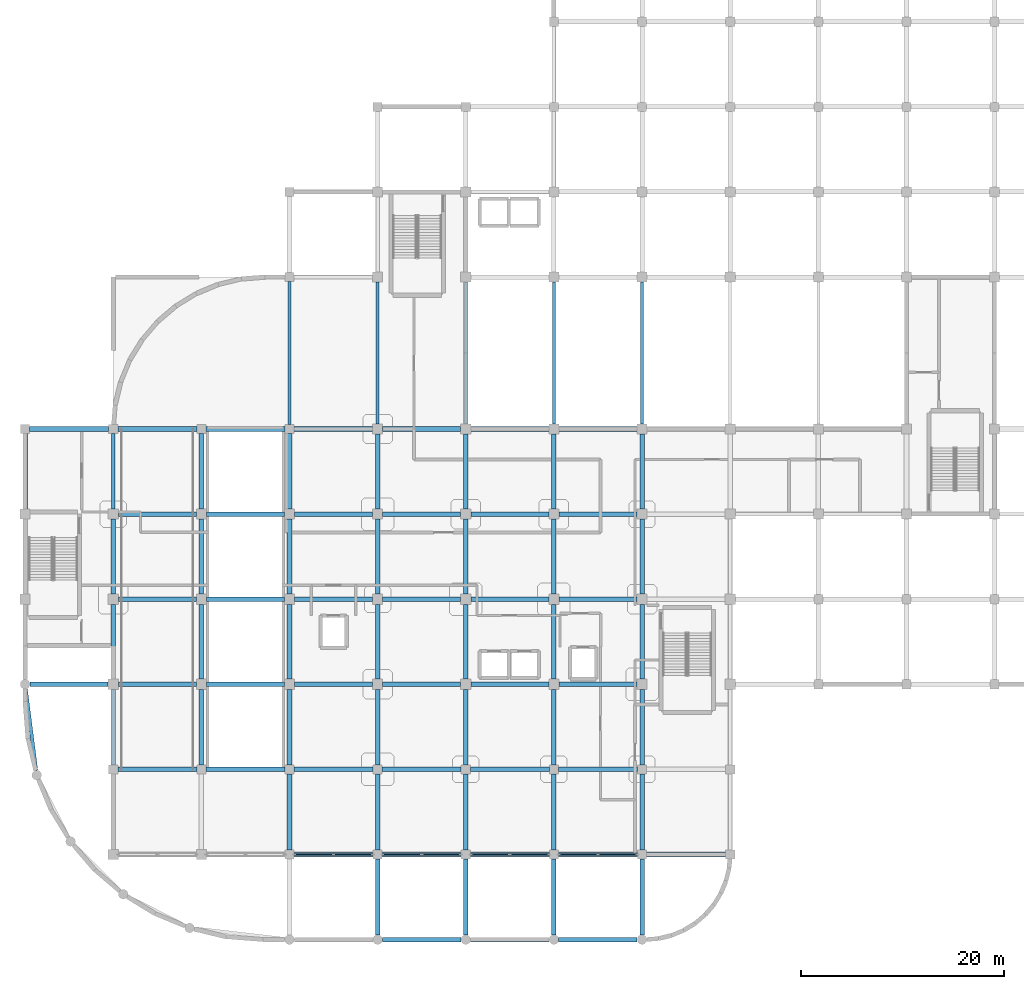
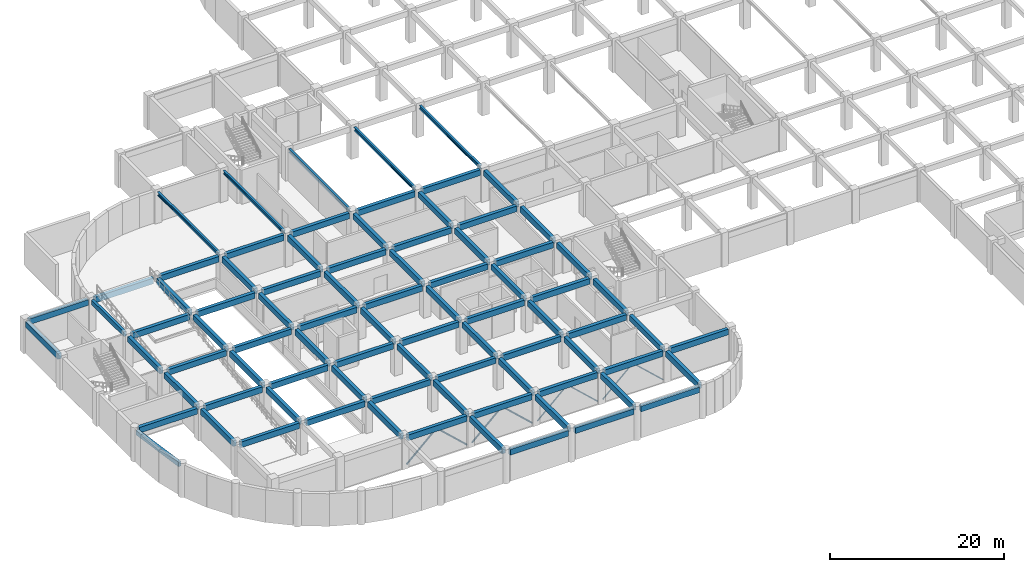
# One storey, part 2 of 19: 84 beams, 8 members.
"""IFC4 building model written with IfcOpenShell, lengths in metres."""

from ifc_helpers import new_model, si_unit, derived_unit, direction, frame, origin, origin_2d, place, context, subcontext, project, spatial, rectangle, hollow_circle, i_section, extrude, material, material_profile, profile_set, type_object, element, save


model = new_model("IFC4")

# Units and contexts
model_context = context("Model", 3, precision=1e-05, world=origin(), true_north=direction((0.0, 1.0)))
body_context = subcontext(model_context, "Body", "Model", "MODEL_VIEW")
ifc_project = project(units=[si_unit("LENGTHUNIT", "METRE"), si_unit("AREAUNIT", "SQUARE_METRE"), si_unit("VOLUMEUNIT", "CUBIC_METRE"), si_unit("PLANEANGLEUNIT", "RADIAN"), si_unit("MASSUNIT", "GRAM", prefix="KILO"), derived_unit("THERMALTRANSMITTANCEUNIT", [(si_unit("MASSUNIT", "GRAM", prefix="KILO"), 1), (si_unit("TIMEUNIT", "SECOND"), -3), (si_unit("THERMODYNAMICTEMPERATUREUNIT", "KELVIN"), -1)])], contexts=[model_context])

# Site, building, storey
site_placement = place(None, origin())
site = spatial("IfcSite", under=ifc_project, at=site_placement, CompositionType="ELEMENT")
building_placement = place(site_placement, origin())
building = spatial("IfcBuilding", under=site, at=building_placement, Name="Qinzheling Arcade Emporium", CompositionType="ELEMENT")
storey_placement = place(building_placement, frame((0.0, 0.0, -4.800048828125)))
storey = spatial("IfcBuildingStorey", under=building, at=storey_placement, Name="B1", CompositionType="ELEMENT", Elevation=-4.800048828125)

# Beams
ifc_material_1 = material(Name="Structural steel Q355B", Category="steel")
ifc_material_profile_1 = material_profile(ifc_material_1, i_section(OverallWidth=0.300048828125, OverallDepth=0.488037109375, WebThickness=0.010986328125, FlangeThickness=0.01806640625, FilletRadius=0.02197265625, at=origin_2d()), Name="HM 488x300x11x18", Category="steel")
ifc_profile_set_1 = profile_set([ifc_material_profile_1], Name="Structural steel Q355B")
beam_type_1 = type_object("IfcBeamType", Name="Atrium Bridge Girder HM488 Q355B", PredefinedType="USERDEFINED", material=ifc_profile_set_1)
beam_1_placement = place(storey_placement, frame((26.10009765625, 50.85009765625, 4.216064453125), z_axis=(0.0, 1.0, 0.0), x_axis=(-1.0, 0.0, 0.0)))
element("IfcBeam", 1, at=beam_1_placement, inside=storey, type_object=beam_type_1, Name="Beam BM-B1-Y-4-G", ObjectType="TRANSFER_GIRDER", PredefinedType="USERDEFINED", context=body_context, shape_type="SweptSolid", body=[
    extrude(i_section(OverallWidth=0.300048828125, OverallDepth=0.488037109375, WebThickness=0.010986328125, FlangeThickness=0.01806640625, FilletRadius=0.02197265625, at=origin_2d()), origin(), (0.0, 0.0, 1.0), 14.099853515625),
])
for number, where, z_axis, x_axis, name in (
    (2, (34.800048828125, 50.89990234375, 4.216064453125), (0.0, 1.0, 0.0), (-1.0, 0.0, 0.0), "Beam BM-B1-Y-5-G"),
    (3, (43.5, 50.89990234375, 4.216064453125), (0.0, 1.0, 0.0), (-1.0, 0.0, 0.0), "Beam BM-B1-Y-6-G"),
    (4, (52.199951171875, 50.89990234375, 4.216064453125), (0.0, 1.0, 0.0), (-1.0, 0.0, 0.0), "Beam BM-B1-Y-7-G"),
    (5, (60.89990234375, 50.89990234375, 4.216064453125), (0.0, 1.0, 0.0), (-1.0, 0.0, 0.0), "Beam BM-B1-Y-8-G"),
):
    element("IfcBeam", number, at=place(storey_placement, frame(where, z_axis=z_axis, x_axis=x_axis)), inside=storey, type_object=beam_type_1, Name=name, ObjectType="TRANSFER_GIRDER", PredefinedType="USERDEFINED", context=body_context, shape_type="SweptSolid", body=[
        extrude(i_section(OverallWidth=0.300048828125, OverallDepth=0.488037109375, WebThickness=0.010986328125, FlangeThickness=0.01806640625, FilletRadius=0.02197265625, at=origin_2d()), origin(), (0.0, 0.0, 1.0), 14.0),
    ])

# Members
ifc_material_2 = material(Name="Weathering steel Q355NH", Category="steel")
ifc_material_profile_2 = material_profile(ifc_material_2, hollow_circle(Radius=0.109619140625, WallThickness=0.010009765625, at=origin_2d()), Name="CHS 219x10", Category="steel")
ifc_profile_set_2 = profile_set([ifc_material_profile_2], Name="Weathering steel Q355NH")
member_type_1 = type_object("IfcMemberType", Name="Lateral Frame Wind Brace CHS219 Q355NH", PredefinedType="BRACE", material=ifc_profile_set_2)
for number, where, z_axis, x_axis, name in (
    (6, (26.449951171875, 8.39990234375, 0.25), (0.734103906603, 0.0, 0.679037152378), (0.0, 1.0, 0.0), "Chevron Frame Brace FRM-BRC-B1-03-1"),
    (7, (34.449951171875, 8.39990234375, 0.25), (-0.734103906603, 0.0, 0.679037152378), (0.0, -1.0, 0.0), "Chevron Frame Brace FRM-BRC-B1-03-2"),
    (8, (35.14990234375, 8.39990234375, 0.25), (0.734103906603, 0.0, 0.679037152378), (0.0, 1.0, 0.0), "Chevron Frame Brace FRM-BRC-B1-04-1"),
    (9, (43.14990234375, 8.39990234375, 0.25), (-0.734103906603, 0.0, 0.679037152378), (0.0, -1.0, 0.0), "Chevron Frame Brace FRM-BRC-B1-04-2"),
):
    element("IfcMember", number, at=place(storey_placement, frame(where, z_axis=z_axis, x_axis=x_axis)), inside=storey, type_object=member_type_1, Name=name, PredefinedType="BRACE", context=body_context, shape_type="SweptSolid", body=[
        extrude(hollow_circle(Radius=0.109619140625, WallThickness=0.010009765625, at=origin_2d()), origin(), (0.0, 0.0, 1.0), 5.44873046875),
    ])
ifc_material_profile_3 = material_profile(ifc_material_1, hollow_circle(Radius=0.083984375, WallThickness=0.008056640625, at=origin_2d()), Name="CHS 168x8", Category="steel")
ifc_profile_set_3 = profile_set([ifc_material_profile_3], Name="Structural steel Q355B")
member_type_2 = type_object("IfcMemberType", Name="Logistics Frame Cross Brace CHS168 Q355B", PredefinedType="BRACE", material=ifc_profile_set_3)
for number, where, z_axis, x_axis, name in (
    (10, (43.85009765625, 8.39990234375, 0.25), (0.734103906603, 0.0, 0.679037152378), (0.0, 1.0, 0.0), "Chevron Frame Brace FRM-BRC-B1-06-1"),
    (11, (51.85009765625, 8.39990234375, 0.25), (-0.734103906603, 0.0, 0.679037152378), (0.0, -1.0, 0.0), "Chevron Frame Brace FRM-BRC-B1-06-2"),
    (12, (52.550048828125, 8.39990234375, 0.25), (0.734103906603, 0.0, 0.679037152378), (0.0, 1.0, 0.0), "Chevron Frame Brace FRM-BRC-B1-08-1"),
    (13, (60.550048828125, 8.39990234375, 0.25), (-0.734103906603, 0.0, 0.679037152378), (0.0, -1.0, 0.0), "Chevron Frame Brace FRM-BRC-B1-08-2"),
):
    element("IfcMember", number, at=place(storey_placement, frame(where, z_axis=z_axis, x_axis=x_axis)), inside=storey, type_object=member_type_2, Name=name, PredefinedType="BRACE", context=body_context, shape_type="SweptSolid", body=[
        extrude(hollow_circle(Radius=0.083984375, WallThickness=0.008056640625, at=origin_2d()), origin(), (0.0, 0.0, 1.0), 5.44873046875),
    ])

# Beams
ifc_material_3 = material(Name="Concrete C40", Category="concrete")
ifc_material_profile_4 = material_profile(ifc_material_3, rectangle(XDim=0.449951171875, YDim=0.800048828125, at=origin_2d()), Name="RC 450x800", Category="concrete")
ifc_profile_set_4 = profile_set([ifc_material_profile_4], Name="Concrete C40")
beam_type_2 = type_object("IfcBeamType", Name="RC Primary Frame Beam 450x800 C40", PredefinedType="BEAM", material=ifc_profile_set_4)
for number, where, z_axis, x_axis, name in (
    (14, (35.27490234375, 0.0, 4.06005859375), (1.0, 0.0, 0.0), (0.0, 1.0, 0.0), "Beam BM-B1-X-A-5"),
    (15, (43.97509765625, 0.0, 4.06005859375), (1.0, 0.0, 0.0), (0.0, 1.0, 0.0), "Beam BM-B1-X-A-6"),
    (16, (52.675048828125, 0.0, 4.06005859375), (1.0, 0.0, 0.0), (0.0, 1.0, 0.0), "Beam BM-B1-X-A-7"),
):
    element("IfcBeam", number, at=place(storey_placement, frame(where, z_axis=z_axis, x_axis=x_axis)), inside=storey, type_object=beam_type_2, Name=name, PredefinedType="BEAM", context=body_context, shape_type="SweptSolid", body=[
        extrude(rectangle(XDim=0.449951171875, YDim=0.800048828125, at=origin_2d()), origin(), (0.0, 0.0, 1.0), 7.75),
    ])
for number, where, z_axis, x_axis, name in (
    (17, (26.550048828125, 8.39990234375, 4.06005859375), (1.0, 0.0, 0.0), (0.0, 1.0, 0.0), "Beam BM-B1-X-B-4"),
    (18, (35.25, 8.39990234375, 4.06005859375), (1.0, 0.0, 0.0), (0.0, 1.0, 0.0), "Beam BM-B1-X-B-5"),
    (19, (43.949951171875, 8.39990234375, 4.06005859375), (1.0, 0.0, 0.0), (0.0, 1.0, 0.0), "Beam BM-B1-X-B-6"),
    (20, (52.64990234375, 8.39990234375, 4.06005859375), (1.0, 0.0, 0.0), (0.0, 1.0, 0.0), "Beam BM-B1-X-B-7"),
):
    element("IfcBeam", number, at=place(storey_placement, frame(where, z_axis=z_axis, x_axis=x_axis)), inside=storey, type_object=beam_type_2, Name=name, PredefinedType="BEAM", context=body_context, shape_type="SweptSolid", body=[
        extrude(rectangle(XDim=0.449951171875, YDim=0.800048828125, at=origin_2d()), origin(), (0.0, 0.0, 1.0), 7.800048828125),
    ])
beam_2_placement = place(storey_placement, frame((61.35009765625, 8.39990234375, 4.06005859375), z_axis=(1.0, 0.0, 0.0), x_axis=(0.0, 1.0, 0.0)))
element("IfcBeam", 21, at=beam_2_placement, inside=storey, type_object=beam_type_2, Name="Beam BM-B1-X-B-8", PredefinedType="BEAM", context=body_context, shape_type="SweptSolid", body=[
    extrude(rectangle(XDim=0.449951171875, YDim=0.800048828125, at=origin_2d()), origin(), (0.0, 0.0, 1.0), 7.7998046875),
])
beam_3_placement = place(storey_placement, frame((9.14990234375, 16.800048828125, 4.06005859375), z_axis=(1.0, 0.0, 0.0), x_axis=(0.0, 1.0, 0.0)))
element("IfcBeam", 22, at=beam_3_placement, inside=storey, type_object=beam_type_2, Name="Beam BM-B1-X-C-2", PredefinedType="BEAM", context=body_context, shape_type="SweptSolid", body=[
    extrude(rectangle(XDim=0.449951171875, YDim=0.800048828125, at=origin_2d()), origin(), (0.0, 0.0, 1.0), 7.800048828125),
])
beam_4_placement = place(storey_placement, frame((17.85009765625, 16.800048828125, 4.06005859375), z_axis=(1.0, 0.0, 0.0), x_axis=(0.0, 1.0, 0.0)))
element("IfcBeam", 23, at=beam_4_placement, inside=storey, type_object=beam_type_2, Name="Beam BM-B1-X-C-3", PredefinedType="BEAM", context=body_context, shape_type="SweptSolid", body=[
    extrude(rectangle(XDim=0.449951171875, YDim=0.800048828125, at=origin_2d()), origin(), (0.0, 0.0, 1.0), 7.7998046875),
])
for number, where, z_axis, x_axis, name in (
    (24, (26.550048828125, 16.800048828125, 4.06005859375), (1.0, 0.0, 0.0), (0.0, 1.0, 0.0), "Beam BM-B1-X-C-4"),
    (25, (35.25, 16.800048828125, 4.06005859375), (1.0, 0.0, 0.0), (0.0, 1.0, 0.0), "Beam BM-B1-X-C-5"),
    (26, (43.949951171875, 16.800048828125, 4.06005859375), (1.0, 0.0, 0.0), (0.0, 1.0, 0.0), "Beam BM-B1-X-C-6"),
    (27, (52.64990234375, 16.800048828125, 4.06005859375), (1.0, 0.0, 0.0), (0.0, 1.0, 0.0), "Beam BM-B1-X-C-7"),
):
    element("IfcBeam", number, at=place(storey_placement, frame(where, z_axis=z_axis, x_axis=x_axis)), inside=storey, type_object=beam_type_2, Name=name, PredefinedType="BEAM", context=body_context, shape_type="SweptSolid", body=[
        extrude(rectangle(XDim=0.449951171875, YDim=0.800048828125, at=origin_2d()), origin(), (0.0, 0.0, 1.0), 7.800048828125),
    ])
beam_5_placement = place(storey_placement, frame((0.47509765625, 25.199951171875, 4.06005859375), z_axis=(1.0, 0.0, 0.0), x_axis=(0.0, 1.0, 0.0)))
element("IfcBeam", 28, at=beam_5_placement, inside=storey, type_object=beam_type_2, Name="Beam BM-B1-X-D-1", PredefinedType="BEAM", context=body_context, shape_type="SweptSolid", body=[
    extrude(rectangle(XDim=0.449951171875, YDim=0.800048828125, at=origin_2d()), origin(), (0.0, 0.0, 1.0), 7.724853515625),
])
beam_6_placement = place(storey_placement, frame((9.199951171875, 25.199951171875, 4.06005859375), z_axis=(1.0, 0.0, 0.0), x_axis=(0.0, 1.0, 0.0)))
element("IfcBeam", 29, at=beam_6_placement, inside=storey, type_object=beam_type_2, Name="Beam BM-B1-X-D-2", PredefinedType="BEAM", context=body_context, shape_type="SweptSolid", body=[
    extrude(rectangle(XDim=0.449951171875, YDim=0.800048828125, at=origin_2d()), origin(), (0.0, 0.0, 1.0), 7.699951171875),
])
beam_7_placement = place(storey_placement, frame((17.89990234375, 25.199951171875, 4.06005859375), z_axis=(1.0, 0.0, 0.0), x_axis=(0.0, 1.0, 0.0)))
element("IfcBeam", 30, at=beam_7_placement, inside=storey, type_object=beam_type_2, Name="Beam BM-B1-X-D-3", PredefinedType="BEAM", context=body_context, shape_type="SweptSolid", body=[
    extrude(rectangle(XDim=0.449951171875, YDim=0.800048828125, at=origin_2d()), origin(), (0.0, 0.0, 1.0), 7.7001953125),
])
for number, where, z_axis, x_axis, name in (
    (31, (26.60009765625, 25.199951171875, 4.06005859375), (1.0, 0.0, 0.0), (0.0, 1.0, 0.0), "Beam BM-B1-X-D-4"),
    (32, (35.300048828125, 25.199951171875, 4.06005859375), (1.0, 0.0, 0.0), (0.0, 1.0, 0.0), "Beam BM-B1-X-D-5"),
    (33, (44.0, 25.199951171875, 4.06005859375), (1.0, 0.0, 0.0), (0.0, 1.0, 0.0), "Beam BM-B1-X-D-6"),
    (34, (52.699951171875, 25.199951171875, 4.06005859375), (1.0, 0.0, 0.0), (0.0, 1.0, 0.0), "Beam BM-B1-X-D-7"),
    (35, (9.199951171875, 33.60009765625, 4.06005859375), (1.0, 0.0, 0.0), (0.0, 1.0, 0.0), "Beam BM-B1-X-E-2"),
):
    element("IfcBeam", number, at=place(storey_placement, frame(where, z_axis=z_axis, x_axis=x_axis)), inside=storey, type_object=beam_type_2, Name=name, PredefinedType="BEAM", context=body_context, shape_type="SweptSolid", body=[
        extrude(rectangle(XDim=0.449951171875, YDim=0.800048828125, at=origin_2d()), origin(), (0.0, 0.0, 1.0), 7.699951171875),
    ])
beam_8_placement = place(storey_placement, frame((17.89990234375, 33.60009765625, 4.06005859375), z_axis=(1.0, 0.0, 0.0), x_axis=(0.0, 1.0, 0.0)))
element("IfcBeam", 36, at=beam_8_placement, inside=storey, type_object=beam_type_2, Name="Beam BM-B1-X-E-3", PredefinedType="BEAM", context=body_context, shape_type="SweptSolid", body=[
    extrude(rectangle(XDim=0.449951171875, YDim=0.800048828125, at=origin_2d()), origin(), (0.0, 0.0, 1.0), 7.7001953125),
])
for number, where, z_axis, x_axis, name in (
    (37, (26.60009765625, 33.60009765625, 4.06005859375), (1.0, 0.0, 0.0), (0.0, 1.0, 0.0), "Beam BM-B1-X-E-4"),
    (38, (35.300048828125, 33.60009765625, 4.06005859375), (1.0, 0.0, 0.0), (0.0, 1.0, 0.0), "Beam BM-B1-X-E-5"),
    (39, (44.0, 33.60009765625, 4.06005859375), (1.0, 0.0, 0.0), (0.0, 1.0, 0.0), "Beam BM-B1-X-E-6"),
    (40, (52.699951171875, 33.60009765625, 4.06005859375), (1.0, 0.0, 0.0), (0.0, 1.0, 0.0), "Beam BM-B1-X-E-7"),
    (41, (9.199951171875, 42.0, 4.06005859375), (1.0, 0.0, 0.0), (0.0, 1.0, 0.0), "Beam BM-B1-X-F-2"),
):
    element("IfcBeam", number, at=place(storey_placement, frame(where, z_axis=z_axis, x_axis=x_axis)), inside=storey, type_object=beam_type_2, Name=name, PredefinedType="BEAM", context=body_context, shape_type="SweptSolid", body=[
        extrude(rectangle(XDim=0.449951171875, YDim=0.800048828125, at=origin_2d()), origin(), (0.0, 0.0, 1.0), 7.699951171875),
    ])
beam_9_placement = place(storey_placement, frame((17.89990234375, 42.0, 4.06005859375), z_axis=(1.0, 0.0, 0.0), x_axis=(0.0, 1.0, 0.0)))
element("IfcBeam", 42, at=beam_9_placement, inside=storey, type_object=beam_type_2, Name="Beam BM-B1-X-F-3", PredefinedType="BEAM", context=body_context, shape_type="SweptSolid", body=[
    extrude(rectangle(XDim=0.449951171875, YDim=0.800048828125, at=origin_2d()), origin(), (0.0, 0.0, 1.0), 7.7001953125),
])
for number, where, z_axis, x_axis, name in (
    (43, (26.60009765625, 42.0, 4.06005859375), (1.0, 0.0, 0.0), (0.0, 1.0, 0.0), "Beam BM-B1-X-F-4"),
    (44, (35.300048828125, 42.0, 4.06005859375), (1.0, 0.0, 0.0), (0.0, 1.0, 0.0), "Beam BM-B1-X-F-5"),
    (45, (44.0, 42.0, 4.06005859375), (1.0, 0.0, 0.0), (0.0, 1.0, 0.0), "Beam BM-B1-X-F-6"),
    (46, (52.699951171875, 42.0, 4.06005859375), (1.0, 0.0, 0.0), (0.0, 1.0, 0.0), "Beam BM-B1-X-F-7"),
):
    element("IfcBeam", number, at=place(storey_placement, frame(where, z_axis=z_axis, x_axis=x_axis)), inside=storey, type_object=beam_type_2, Name=name, PredefinedType="BEAM", context=body_context, shape_type="SweptSolid", body=[
        extrude(rectangle(XDim=0.449951171875, YDim=0.800048828125, at=origin_2d()), origin(), (0.0, 0.0, 1.0), 7.699951171875),
    ])
for number, where, z_axis, x_axis, name in (
    (47, (0.449951171875, 50.39990234375, 4.06005859375), (1.0, 0.0, 0.0), (0.0, 1.0, 0.0), "Beam BM-B1-X-G-1"),
    (48, (9.14990234375, 50.39990234375, 4.06005859375), (1.0, 0.0, 0.0), (0.0, 1.0, 0.0), "Beam BM-B1-X-G-2"),
):
    element("IfcBeam", number, at=place(storey_placement, frame(where, z_axis=z_axis, x_axis=x_axis)), inside=storey, type_object=beam_type_2, Name=name, PredefinedType="BEAM", context=body_context, shape_type="SweptSolid", body=[
        extrude(rectangle(XDim=0.449951171875, YDim=0.800048828125, at=origin_2d()), origin(), (0.0, 0.0, 1.0), 7.800048828125),
    ])
beam_10_placement = place(storey_placement, frame((17.85009765625, 50.39990234375, 4.06005859375), z_axis=(1.0, 0.0, 0.0), x_axis=(0.0, 1.0, 0.0)))
element("IfcBeam", 49, at=beam_10_placement, inside=storey, type_object=beam_type_2, Name="Beam BM-B1-X-G-3", PredefinedType="BEAM", context=body_context, shape_type="SweptSolid", body=[
    extrude(rectangle(XDim=0.449951171875, YDim=0.800048828125, at=origin_2d()), origin(), (0.0, 0.0, 1.0), 7.7998046875),
])
beam_11_placement = place(storey_placement, frame((26.550048828125, 50.39990234375, 4.06005859375), z_axis=(1.0, 0.0, 0.0), x_axis=(0.0, 1.0, 0.0)))
element("IfcBeam", 50, at=beam_11_placement, inside=storey, type_object=beam_type_2, Name="Beam BM-B1-X-G-4", PredefinedType="BEAM", context=body_context, shape_type="SweptSolid", body=[
    extrude(rectangle(XDim=0.449951171875, YDim=0.800048828125, at=origin_2d()), origin(), (0.0, 0.0, 1.0), 7.75),
])
for number, where, z_axis, x_axis, name in (
    (51, (35.300048828125, 50.39990234375, 4.06005859375), (1.0, 0.0, 0.0), (0.0, 1.0, 0.0), "Beam BM-B1-X-G-5"),
    (52, (44.0, 50.39990234375, 4.06005859375), (1.0, 0.0, 0.0), (0.0, 1.0, 0.0), "Beam BM-B1-X-G-6"),
    (53, (52.699951171875, 50.39990234375, 4.06005859375), (1.0, 0.0, 0.0), (0.0, 1.0, 0.0), "Beam BM-B1-X-G-7"),
):
    element("IfcBeam", number, at=place(storey_placement, frame(where, z_axis=z_axis, x_axis=x_axis)), inside=storey, type_object=beam_type_2, Name=name, PredefinedType="BEAM", context=body_context, shape_type="SweptSolid", body=[
        extrude(rectangle(XDim=0.449951171875, YDim=0.800048828125, at=origin_2d()), origin(), (0.0, 0.0, 1.0), 7.699951171875),
    ])
for number, where, z_axis, x_axis, name in (
    (54, (0.0, 42.5, 4.06005859375), (0.0, 1.0, 0.0), (-1.0, 0.0, 0.0), "Beam BM-B1-Y-1-F"),
    (55, (8.699951171875, 17.25, 4.06005859375), (0.0, 1.0, 0.0), (-1.0, 0.0, 0.0), "Beam BM-B1-Y-2-C"),
):
    element("IfcBeam", number, at=place(storey_placement, frame(where, z_axis=z_axis, x_axis=x_axis)), inside=storey, type_object=beam_type_2, Name=name, PredefinedType="BEAM", context=body_context, shape_type="SweptSolid", body=[
        extrude(rectangle(XDim=0.449951171875, YDim=0.800048828125, at=origin_2d()), origin(), (0.0, 0.0, 1.0), 7.449951171875),
    ])
beam_12_placement = place(storey_placement, frame((8.699951171875, 25.699951171875, 4.06005859375), z_axis=(0.0, 1.0, 0.0), x_axis=(-1.0, 0.0, 0.0)))
element("IfcBeam", 56, at=beam_12_placement, inside=storey, type_object=beam_type_2, Name="Beam BM-B1-Y-2-D", PredefinedType="BEAM", context=body_context, shape_type="SweptSolid", body=[
    extrude(rectangle(XDim=0.449951171875, YDim=0.800048828125, at=origin_2d()), origin(), (0.0, 0.0, 1.0), 7.400146484375),
])
beam_13_placement = place(storey_placement, frame((8.699951171875, 34.10009765625, 4.06005859375), z_axis=(0.0, 1.0, 0.0), x_axis=(-1.0, 0.0, 0.0)))
element("IfcBeam", 57, at=beam_13_placement, inside=storey, type_object=beam_type_2, Name="Beam BM-B1-Y-2-E", PredefinedType="BEAM", context=body_context, shape_type="SweptSolid", body=[
    extrude(rectangle(XDim=0.449951171875, YDim=0.800048828125, at=origin_2d()), origin(), (0.0, 0.0, 1.0), 7.39990234375),
])
beam_14_placement = place(storey_placement, frame((17.39990234375, 17.25, 4.06005859375), z_axis=(0.0, 1.0, 0.0), x_axis=(-1.0, 0.0, 0.0)))
element("IfcBeam", 58, at=beam_14_placement, inside=storey, type_object=beam_type_2, Name="Beam BM-B1-Y-3-C", PredefinedType="BEAM", context=body_context, shape_type="SweptSolid", body=[
    extrude(rectangle(XDim=0.449951171875, YDim=0.800048828125, at=origin_2d()), origin(), (0.0, 0.0, 1.0), 7.449951171875),
])
beam_15_placement = place(storey_placement, frame((17.39990234375, 25.699951171875, 4.06005859375), z_axis=(0.0, 1.0, 0.0), x_axis=(-1.0, 0.0, 0.0)))
element("IfcBeam", 59, at=beam_15_placement, inside=storey, type_object=beam_type_2, Name="Beam BM-B1-Y-3-D", PredefinedType="BEAM", context=body_context, shape_type="SweptSolid", body=[
    extrude(rectangle(XDim=0.449951171875, YDim=0.800048828125, at=origin_2d()), origin(), (0.0, 0.0, 1.0), 7.400146484375),
])
beam_16_placement = place(storey_placement, frame((17.39990234375, 34.10009765625, 4.06005859375), z_axis=(0.0, 1.0, 0.0), x_axis=(-1.0, 0.0, 0.0)))
element("IfcBeam", 60, at=beam_16_placement, inside=storey, type_object=beam_type_2, Name="Beam BM-B1-Y-3-E", PredefinedType="BEAM", context=body_context, shape_type="SweptSolid", body=[
    extrude(rectangle(XDim=0.449951171875, YDim=0.800048828125, at=origin_2d()), origin(), (0.0, 0.0, 1.0), 7.39990234375),
])
beam_17_placement = place(storey_placement, frame((17.39990234375, 42.5, 4.06005859375), z_axis=(0.0, 1.0, 0.0), x_axis=(-1.0, 0.0, 0.0)))
element("IfcBeam", 61, at=beam_17_placement, inside=storey, type_object=beam_type_2, Name="Beam BM-B1-Y-3-F", PredefinedType="BEAM", context=body_context, shape_type="SweptSolid", body=[
    extrude(rectangle(XDim=0.449951171875, YDim=0.800048828125, at=origin_2d()), origin(), (0.0, 0.0, 1.0), 7.449951171875),
])
beam_18_placement = place(storey_placement, frame((26.10009765625, 8.85009765625, 4.06005859375), z_axis=(0.0, 1.0, 0.0), x_axis=(-1.0, 0.0, 0.0)))
element("IfcBeam", 62, at=beam_18_placement, inside=storey, type_object=beam_type_2, Name="Beam BM-B1-Y-4-B", PredefinedType="BEAM", context=body_context, shape_type="SweptSolid", body=[
    extrude(rectangle(XDim=0.449951171875, YDim=0.800048828125, at=origin_2d()), origin(), (0.0, 0.0, 1.0), 7.5),
])
beam_19_placement = place(storey_placement, frame((26.10009765625, 17.25, 4.06005859375), z_axis=(0.0, 1.0, 0.0), x_axis=(-1.0, 0.0, 0.0)))
element("IfcBeam", 63, at=beam_19_placement, inside=storey, type_object=beam_type_2, Name="Beam BM-B1-Y-4-C", PredefinedType="BEAM", context=body_context, shape_type="SweptSolid", body=[
    extrude(rectangle(XDim=0.449951171875, YDim=0.800048828125, at=origin_2d()), origin(), (0.0, 0.0, 1.0), 7.449951171875),
])
beam_20_placement = place(storey_placement, frame((26.10009765625, 25.699951171875, 4.06005859375), z_axis=(0.0, 1.0, 0.0), x_axis=(-1.0, 0.0, 0.0)))
element("IfcBeam", 64, at=beam_20_placement, inside=storey, type_object=beam_type_2, Name="Beam BM-B1-Y-4-D", PredefinedType="BEAM", context=body_context, shape_type="SweptSolid", body=[
    extrude(rectangle(XDim=0.449951171875, YDim=0.800048828125, at=origin_2d()), origin(), (0.0, 0.0, 1.0), 7.400146484375),
])
beam_21_placement = place(storey_placement, frame((26.10009765625, 34.10009765625, 4.06005859375), z_axis=(0.0, 1.0, 0.0), x_axis=(-1.0, 0.0, 0.0)))
element("IfcBeam", 65, at=beam_21_placement, inside=storey, type_object=beam_type_2, Name="Beam BM-B1-Y-4-E", PredefinedType="BEAM", context=body_context, shape_type="SweptSolid", body=[
    extrude(rectangle(XDim=0.449951171875, YDim=0.800048828125, at=origin_2d()), origin(), (0.0, 0.0, 1.0), 7.39990234375),
])
beam_22_placement = place(storey_placement, frame((26.10009765625, 42.5, 4.06005859375), z_axis=(0.0, 1.0, 0.0), x_axis=(-1.0, 0.0, 0.0)))
element("IfcBeam", 66, at=beam_22_placement, inside=storey, type_object=beam_type_2, Name="Beam BM-B1-Y-4-F", PredefinedType="BEAM", context=body_context, shape_type="SweptSolid", body=[
    extrude(rectangle(XDim=0.449951171875, YDim=0.800048828125, at=origin_2d()), origin(), (0.0, 0.0, 1.0), 7.449951171875),
])
beam_23_placement = place(storey_placement, frame((34.800048828125, 0.47509765625, 4.06005859375), z_axis=(0.0, 1.0, 0.0), x_axis=(-1.0, 0.0, 0.0)))
element("IfcBeam", 67, at=beam_23_placement, inside=storey, type_object=beam_type_2, Name="Beam BM-B1-Y-5-A", PredefinedType="BEAM", context=body_context, shape_type="SweptSolid", body=[
    extrude(rectangle(XDim=0.449951171875, YDim=0.800048828125, at=origin_2d()), origin(), (0.0, 0.0, 1.0), 7.474853515625),
])
beam_24_placement = place(storey_placement, frame((34.800048828125, 8.85009765625, 4.06005859375), z_axis=(0.0, 1.0, 0.0), x_axis=(-1.0, 0.0, 0.0)))
element("IfcBeam", 68, at=beam_24_placement, inside=storey, type_object=beam_type_2, Name="Beam BM-B1-Y-5-B", PredefinedType="BEAM", context=body_context, shape_type="SweptSolid", body=[
    extrude(rectangle(XDim=0.449951171875, YDim=0.800048828125, at=origin_2d()), origin(), (0.0, 0.0, 1.0), 7.5),
])
beam_25_placement = place(storey_placement, frame((34.800048828125, 17.25, 4.06005859375), z_axis=(0.0, 1.0, 0.0), x_axis=(-1.0, 0.0, 0.0)))
element("IfcBeam", 69, at=beam_25_placement, inside=storey, type_object=beam_type_2, Name="Beam BM-B1-Y-5-C", PredefinedType="BEAM", context=body_context, shape_type="SweptSolid", body=[
    extrude(rectangle(XDim=0.449951171875, YDim=0.800048828125, at=origin_2d()), origin(), (0.0, 0.0, 1.0), 7.449951171875),
])
beam_26_placement = place(storey_placement, frame((34.800048828125, 25.699951171875, 4.06005859375), z_axis=(0.0, 1.0, 0.0), x_axis=(-1.0, 0.0, 0.0)))
element("IfcBeam", 70, at=beam_26_placement, inside=storey, type_object=beam_type_2, Name="Beam BM-B1-Y-5-D", PredefinedType="BEAM", context=body_context, shape_type="SweptSolid", body=[
    extrude(rectangle(XDim=0.449951171875, YDim=0.800048828125, at=origin_2d()), origin(), (0.0, 0.0, 1.0), 7.400146484375),
])
for number, where, z_axis, x_axis, name in (
    (71, (34.800048828125, 34.10009765625, 4.06005859375), (0.0, 1.0, 0.0), (-1.0, 0.0, 0.0), "Beam BM-B1-Y-5-E"),
    (72, (34.800048828125, 42.5, 4.06005859375), (0.0, 1.0, 0.0), (-1.0, 0.0, 0.0), "Beam BM-B1-Y-5-F"),
):
    element("IfcBeam", number, at=place(storey_placement, frame(where, z_axis=z_axis, x_axis=x_axis)), inside=storey, type_object=beam_type_2, Name=name, PredefinedType="BEAM", context=body_context, shape_type="SweptSolid", body=[
        extrude(rectangle(XDim=0.449951171875, YDim=0.800048828125, at=origin_2d()), origin(), (0.0, 0.0, 1.0), 7.39990234375),
    ])
beam_27_placement = place(storey_placement, frame((43.5, 0.47509765625, 4.06005859375), z_axis=(0.0, 1.0, 0.0), x_axis=(-1.0, 0.0, 0.0)))
element("IfcBeam", 73, at=beam_27_placement, inside=storey, type_object=beam_type_2, Name="Beam BM-B1-Y-6-A", PredefinedType="BEAM", context=body_context, shape_type="SweptSolid", body=[
    extrude(rectangle(XDim=0.449951171875, YDim=0.800048828125, at=origin_2d()), origin(), (0.0, 0.0, 1.0), 7.474853515625),
])
beam_28_placement = place(storey_placement, frame((43.5, 8.85009765625, 4.06005859375), z_axis=(0.0, 1.0, 0.0), x_axis=(-1.0, 0.0, 0.0)))
element("IfcBeam", 74, at=beam_28_placement, inside=storey, type_object=beam_type_2, Name="Beam BM-B1-Y-6-B", PredefinedType="BEAM", context=body_context, shape_type="SweptSolid", body=[
    extrude(rectangle(XDim=0.449951171875, YDim=0.800048828125, at=origin_2d()), origin(), (0.0, 0.0, 1.0), 7.5),
])
beam_29_placement = place(storey_placement, frame((43.5, 17.25, 4.06005859375), z_axis=(0.0, 1.0, 0.0), x_axis=(-1.0, 0.0, 0.0)))
element("IfcBeam", 75, at=beam_29_placement, inside=storey, type_object=beam_type_2, Name="Beam BM-B1-Y-6-C", PredefinedType="BEAM", context=body_context, shape_type="SweptSolid", body=[
    extrude(rectangle(XDim=0.449951171875, YDim=0.800048828125, at=origin_2d()), origin(), (0.0, 0.0, 1.0), 7.449951171875),
])
beam_30_placement = place(storey_placement, frame((43.5, 25.699951171875, 4.06005859375), z_axis=(0.0, 1.0, 0.0), x_axis=(-1.0, 0.0, 0.0)))
element("IfcBeam", 76, at=beam_30_placement, inside=storey, type_object=beam_type_2, Name="Beam BM-B1-Y-6-D", PredefinedType="BEAM", context=body_context, shape_type="SweptSolid", body=[
    extrude(rectangle(XDim=0.449951171875, YDim=0.800048828125, at=origin_2d()), origin(), (0.0, 0.0, 1.0), 7.400146484375),
])
for number, where, z_axis, x_axis, name in (
    (77, (43.5, 34.10009765625, 4.06005859375), (0.0, 1.0, 0.0), (-1.0, 0.0, 0.0), "Beam BM-B1-Y-6-E"),
    (78, (43.5, 42.5, 4.06005859375), (0.0, 1.0, 0.0), (-1.0, 0.0, 0.0), "Beam BM-B1-Y-6-F"),
):
    element("IfcBeam", number, at=place(storey_placement, frame(where, z_axis=z_axis, x_axis=x_axis)), inside=storey, type_object=beam_type_2, Name=name, PredefinedType="BEAM", context=body_context, shape_type="SweptSolid", body=[
        extrude(rectangle(XDim=0.449951171875, YDim=0.800048828125, at=origin_2d()), origin(), (0.0, 0.0, 1.0), 7.39990234375),
    ])
beam_31_placement = place(storey_placement, frame((52.199951171875, 0.47509765625, 4.06005859375), z_axis=(0.0, 1.0, 0.0), x_axis=(-1.0, 0.0, 0.0)))
element("IfcBeam", 79, at=beam_31_placement, inside=storey, type_object=beam_type_2, Name="Beam BM-B1-Y-7-A", PredefinedType="BEAM", context=body_context, shape_type="SweptSolid", body=[
    extrude(rectangle(XDim=0.449951171875, YDim=0.800048828125, at=origin_2d()), origin(), (0.0, 0.0, 1.0), 7.474853515625),
])
beam_32_placement = place(storey_placement, frame((52.199951171875, 8.85009765625, 4.06005859375), z_axis=(0.0, 1.0, 0.0), x_axis=(-1.0, 0.0, 0.0)))
element("IfcBeam", 80, at=beam_32_placement, inside=storey, type_object=beam_type_2, Name="Beam BM-B1-Y-7-B", PredefinedType="BEAM", context=body_context, shape_type="SweptSolid", body=[
    extrude(rectangle(XDim=0.449951171875, YDim=0.800048828125, at=origin_2d()), origin(), (0.0, 0.0, 1.0), 7.5),
])
beam_33_placement = place(storey_placement, frame((52.199951171875, 17.25, 4.06005859375), z_axis=(0.0, 1.0, 0.0), x_axis=(-1.0, 0.0, 0.0)))
element("IfcBeam", 81, at=beam_33_placement, inside=storey, type_object=beam_type_2, Name="Beam BM-B1-Y-7-C", PredefinedType="BEAM", context=body_context, shape_type="SweptSolid", body=[
    extrude(rectangle(XDim=0.449951171875, YDim=0.800048828125, at=origin_2d()), origin(), (0.0, 0.0, 1.0), 7.449951171875),
])
beam_34_placement = place(storey_placement, frame((52.199951171875, 25.699951171875, 4.06005859375), z_axis=(0.0, 1.0, 0.0), x_axis=(-1.0, 0.0, 0.0)))
element("IfcBeam", 82, at=beam_34_placement, inside=storey, type_object=beam_type_2, Name="Beam BM-B1-Y-7-D", PredefinedType="BEAM", context=body_context, shape_type="SweptSolid", body=[
    extrude(rectangle(XDim=0.449951171875, YDim=0.800048828125, at=origin_2d()), origin(), (0.0, 0.0, 1.0), 7.400146484375),
])
for number, where, z_axis, x_axis, name in (
    (83, (52.199951171875, 34.10009765625, 4.06005859375), (0.0, 1.0, 0.0), (-1.0, 0.0, 0.0), "Beam BM-B1-Y-7-E"),
    (84, (52.199951171875, 42.5, 4.06005859375), (0.0, 1.0, 0.0), (-1.0, 0.0, 0.0), "Beam BM-B1-Y-7-F"),
):
    element("IfcBeam", number, at=place(storey_placement, frame(where, z_axis=z_axis, x_axis=x_axis)), inside=storey, type_object=beam_type_2, Name=name, PredefinedType="BEAM", context=body_context, shape_type="SweptSolid", body=[
        extrude(rectangle(XDim=0.449951171875, YDim=0.800048828125, at=origin_2d()), origin(), (0.0, 0.0, 1.0), 7.39990234375),
    ])
beam_35_placement = place(storey_placement, frame((60.89990234375, 0.47509765625, 4.06005859375), z_axis=(0.0, 1.0, 0.0), x_axis=(-1.0, 0.0, 0.0)))
element("IfcBeam", 85, at=beam_35_placement, inside=storey, type_object=beam_type_2, Name="Beam BM-B1-Y-8-A", PredefinedType="BEAM", context=body_context, shape_type="SweptSolid", body=[
    extrude(rectangle(XDim=0.449951171875, YDim=0.800048828125, at=origin_2d()), origin(), (0.0, 0.0, 1.0), 7.474853515625),
])
beam_36_placement = place(storey_placement, frame((60.89990234375, 8.85009765625, 4.06005859375), z_axis=(0.0, 1.0, 0.0), x_axis=(-1.0, 0.0, 0.0)))
element("IfcBeam", 86, at=beam_36_placement, inside=storey, type_object=beam_type_2, Name="Beam BM-B1-Y-8-B", PredefinedType="BEAM", context=body_context, shape_type="SweptSolid", body=[
    extrude(rectangle(XDim=0.449951171875, YDim=0.800048828125, at=origin_2d()), origin(), (0.0, 0.0, 1.0), 7.5),
])
beam_37_placement = place(storey_placement, frame((60.89990234375, 17.25, 4.06005859375), z_axis=(0.0, 1.0, 0.0), x_axis=(-1.0, 0.0, 0.0)))
element("IfcBeam", 87, at=beam_37_placement, inside=storey, type_object=beam_type_2, Name="Beam BM-B1-Y-8-C", PredefinedType="BEAM", context=body_context, shape_type="SweptSolid", body=[
    extrude(rectangle(XDim=0.449951171875, YDim=0.800048828125, at=origin_2d()), origin(), (0.0, 0.0, 1.0), 7.449951171875),
])
beam_38_placement = place(storey_placement, frame((60.89990234375, 25.699951171875, 4.06005859375), z_axis=(0.0, 1.0, 0.0), x_axis=(-1.0, 0.0, 0.0)))
element("IfcBeam", 88, at=beam_38_placement, inside=storey, type_object=beam_type_2, Name="Beam BM-B1-Y-8-D", PredefinedType="BEAM", context=body_context, shape_type="SweptSolid", body=[
    extrude(rectangle(XDim=0.449951171875, YDim=0.800048828125, at=origin_2d()), origin(), (0.0, 0.0, 1.0), 7.400146484375),
])
for number, where, z_axis, x_axis, name in (
    (89, (60.89990234375, 34.10009765625, 4.06005859375), (0.0, 1.0, 0.0), (-1.0, 0.0, 0.0), "Beam BM-B1-Y-8-E"),
    (90, (60.89990234375, 42.5, 4.06005859375), (0.0, 1.0, 0.0), (-1.0, 0.0, 0.0), "Beam BM-B1-Y-8-F"),
):
    element("IfcBeam", number, at=place(storey_placement, frame(where, z_axis=z_axis, x_axis=x_axis)), inside=storey, type_object=beam_type_2, Name=name, PredefinedType="BEAM", context=body_context, shape_type="SweptSolid", body=[
        extrude(rectangle(XDim=0.449951171875, YDim=0.800048828125, at=origin_2d()), origin(), (0.0, 0.0, 1.0), 7.39990234375),
    ])
ifc_material_profile_5 = material_profile(ifc_material_3, rectangle(XDim=0.35009765625, YDim=0.64990234375, at=origin_2d()), Name="RC 350x650", Category="concrete")
ifc_profile_set_5 = profile_set([ifc_material_profile_5], Name="Concrete C40")
beam_type_3 = type_object("IfcBeamType", Name="RC Spandrel Edge Beam 350x650 C40", PredefinedType="SPANDREL", material=ifc_profile_set_5)
beam_39_placement = place(storey_placement, frame((8.699951171875, 42.5, 4.135009765625), z_axis=(0.0, 1.0, 0.0), x_axis=(-1.0, 0.0, 0.0)))
element("IfcBeam", 91, at=beam_39_placement, inside=storey, type_object=beam_type_3, Name="Beam BM-B1-Y-2-F", PredefinedType="SPANDREL", context=body_context, shape_type="SweptSolid", body=[
    extrude(rectangle(XDim=0.35009765625, YDim=0.64990234375, at=origin_2d()), origin(), (0.0, 0.0, 1.0), 7.449951171875),
])
beam_40_placement = place(storey_placement, frame((0.06005859375, 24.73388671875, 4.135009765625), z_axis=(0.127233544764, -0.991872786746, 0.0), x_axis=(0.991872786746, 0.127233544764, 0.0)))
element("IfcBeam", 92, at=beam_40_placement, inside=storey, type_object=beam_type_3, Name="Curved Arcade Spandrel BM-B1-CV1-B01", PredefinedType="SPANDREL", context=body_context, shape_type="SweptSolid", body=[
    extrude(rectangle(XDim=0.35009765625, YDim=0.64990234375, at=origin_2d()), origin(), (0.0, 0.0, 1.0), 8.095458984375),
])

save(model, "model.ifc")
